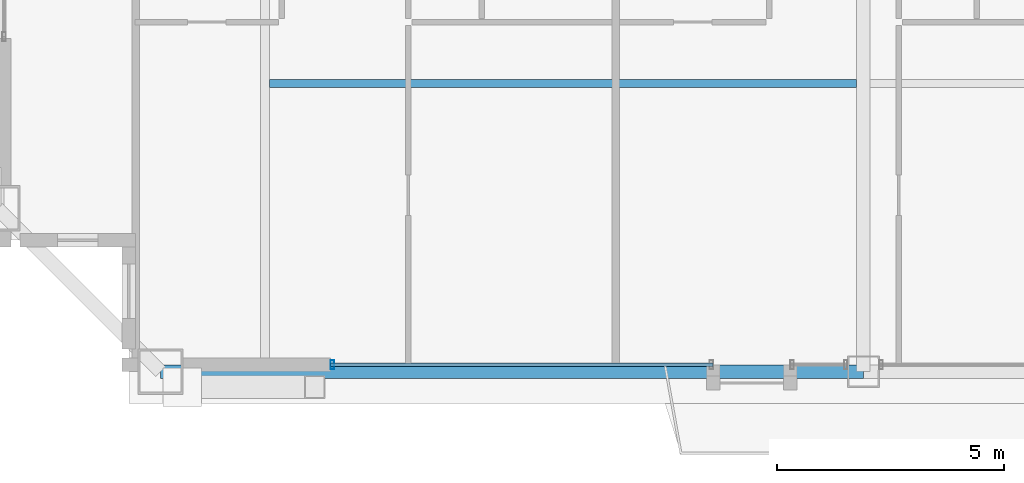
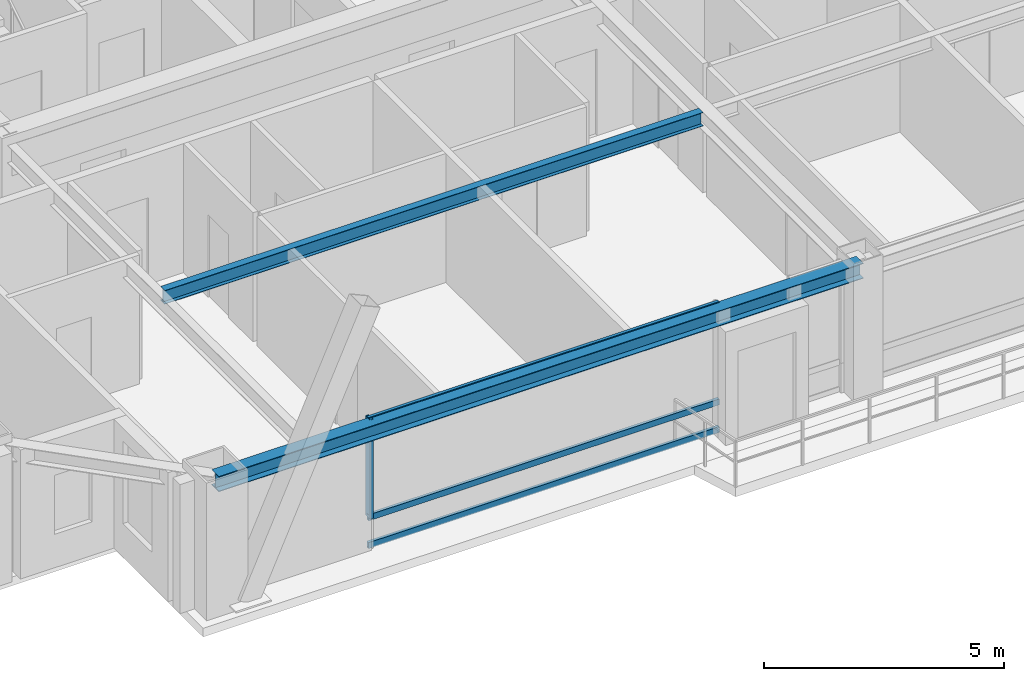
# One storey, part 4 of 33: 4 members, 2 beams, 1 element without a shape of its own.
"""IFC4 building model written with IfcOpenShell, lengths in metres."""

from ifc_helpers import new_model, si_unit, direction, frame, origin, origin_2d, place, context, subcontext, project, spatial, hollow_rectangle, i_section, extrude, source, transform, mapped, material, layer, layer_set, material_profile, profile_set, type_object, element, aggregate, save


model = new_model("IFC4")

# Units and contexts
model_context = context("Model", 3, precision=1e-05, world=origin(), true_north=direction((0.0, 1.0)))
body_context = subcontext(model_context, "Body", "Model", "MODEL_VIEW")
ifc_project = project(units=[si_unit("LENGTHUNIT", "METRE"), si_unit("AREAUNIT", "SQUARE_METRE"), si_unit("VOLUMEUNIT", "CUBIC_METRE"), si_unit("PLANEANGLEUNIT", "RADIAN"), si_unit("MASSUNIT", "GRAM", prefix="KILO"), si_unit("THERMODYNAMICTEMPERATUREUNIT", "KELVIN"), si_unit("POWERUNIT", "WATT")], contexts=[model_context])

# Site, building, storey
site_placement = place(None, origin())
site = spatial("IfcSite", under=ifc_project, at=site_placement, CompositionType="ELEMENT")
building_placement = place(site_placement, origin())
building = spatial("IfcBuilding", under=site, at=building_placement, Name="Yuzanri Waterfront Tower", CompositionType="ELEMENT")
storey_placement = place(building_placement, frame((0.0, 0.0, 292.60009765625)))
storey = spatial("IfcBuildingStorey", under=building, at=storey_placement, Name="L78", CompositionType="ELEMENT", Elevation=292.60009765625)

# Beams
ifc_material_1 = material(Name="Steel Q355B", Category="steel")
ifc_material_profile_1 = material_profile(ifc_material_1, i_section(OverallWidth=0.175048828125, OverallDepth=0.35009765625, WebThickness=0.007080078125, FlangeThickness=0.010986328125, at=origin_2d()), Name="HN 350x175x7x11")
ifc_profile_set_1 = profile_set([ifc_material_profile_1], Name="Steel Q355B")
beam_type_1 = type_object("IfcBeamType", Name="Floor Joist Q355B HN 350x175", PredefinedType="JOIST", material=ifc_profile_set_1)
shared_shape_1 = source(origin(), body_context, "Body", "SweptSolid", [
    extrude(i_section(OverallWidth=0.175048828125, OverallDepth=0.35009765625, WebThickness=0.007080078125, FlangeThickness=0.010986328125, at=origin_2d()), origin(), (0.0, 0.0, 1.0), 12.9501953125),
])
beam_1_placement = place(storey_placement, frame((23.89990234375, 13.050048828125, 3.10498046875), z_axis=(1.0, 0.0, 0.0), x_axis=(0.0, 1.0, 0.0)))
element("IfcBeam", 1, at=beam_1_placement, inside=storey, type_object=beam_type_1, Name="L78 South Bay Joist W", PredefinedType="JOIST", context=body_context, shape_type="MappedRepresentation", body=[
    mapped(shared_shape_1, transform((0.0, 0.0, 0.0), scale=1.0)),
])
ifc_material_2 = material(Name="Steel Q355B", Category="steel")
ifc_material_profile_2 = material_profile(ifc_material_2, i_section(OverallWidth=0.300048828125, OverallDepth=0.389892578125, WebThickness=0.010009765625, FlangeThickness=0.01611328125, at=origin_2d()), Name="HM 390x300x10x16")
ifc_profile_set_2 = profile_set([ifc_material_profile_2], Name="Steel Q355B")
beam_type_2 = type_object("IfcBeamType", Name="Perimeter Spandrel Q355B HM 390x300", PredefinedType="SPANDREL", material=ifc_profile_set_2)
shared_shape_2 = source(origin(), body_context, "Body", "SweptSolid", [
    extrude(i_section(OverallWidth=0.300048828125, OverallDepth=0.389892578125, WebThickness=0.010009765625, FlangeThickness=0.01611328125, at=origin_2d()), origin(), (0.0, 0.0, 1.0), 15.5),
])
beam_2_placement = place(storey_placement, frame((21.5, 6.699951171875, 3.0849609375), z_axis=(1.0, 0.0, 0.0), x_axis=(0.0, 1.0, 0.0)))
element("IfcBeam", 2, at=beam_2_placement, inside=storey, type_object=beam_type_2, Name="L78 Perimeter Spandrel S1-S2", PredefinedType="SPANDREL", context=body_context, shape_type="MappedRepresentation", body=[
    mapped(shared_shape_2, transform((0.0, 0.0, 0.0), scale=1.0)),
])

# Curtain wall, members
ifc_material_3 = material(Name="Anodized Architectural Bronze", Category="metal")
ifc_layer = layer(ifc_material_3, 0.159912109375)
ifc_layer_set = layer_set([ifc_layer], Name="Anodized Architectural Bronze")
curtain_wall_type = type_object("IfcCurtainWallType", Name="Anodized Bronze High-Rise Penthouse High-Wind Unitized Curtain Wall 6900", PredefinedType="NOTDEFINED", material=ifc_layer_set)
curtain_wall_placement = place(storey_placement, origin())
curtain_wall = element("IfcCurtainWall", 3, at=curtain_wall_placement, inside=storey, type_object=curtain_wall_type, Name="L78 Curtain Wall CW-L78-SL1", PredefinedType="NOTDEFINED")
ifc_material_4 = material(Name="Anodized Architectural Bronze", Category="metal")
ifc_material_profile_3 = material_profile(ifc_material_4, hollow_rectangle(XDim=0.074951171875, YDim=0.199951171875, WallThickness=0.00390625, at=origin_2d()), Name="CWM 75x200")
ifc_profile_set_3 = profile_set([ifc_material_profile_3], Name="Anodized Architectural Bronze")
member_type_1 = type_object("IfcMemberType", Name="Anodized Bronze Primary Curtain-Wall Mullion 75x200", PredefinedType="MULLION", material=ifc_profile_set_3)
shared_shape_3 = source(origin(), body_context, "Body", "SweptSolid", [
    extrude(hollow_rectangle(XDim=0.074951171875, YDim=0.199951171875, WallThickness=0.00390625, at=origin_2d()), origin(), (0.0, 0.0, 1.0), 2.52392578125),
])
member_1_placement = place(storey_placement, frame((25.2900390625, 6.85009765625, 0.755859375), z_axis=(0.0, 0.0, 1.0), x_axis=(1.0, 0.0, 0.0)))
member_1 = element("IfcMember", 4, at=member_1_placement, type_object=member_type_1, Name="CW-L78-SL1 Upper Mullion 00", PredefinedType="MULLION", context=body_context, shape_type="MappedRepresentation", body=[
    mapped(shared_shape_3, transform((0.0, 0.0, 0.0), scale=1.0)),
])
ifc_material_5 = material(Name="Anodized Architectural Bronze", Category="metal")
ifc_material_profile_4 = material_profile(ifc_material_5, hollow_rectangle(XDim=0.074951171875, YDim=0.14990234375, WallThickness=0.00390625, at=origin_2d()), Name="CWT 75x150")
ifc_profile_set_4 = profile_set([ifc_material_profile_4], Name="Anodized Architectural Bronze")
member_type_2 = type_object("IfcMemberType", Name="Anodized Bronze Primary Curtain-Wall Transom 75x150", PredefinedType="USERDEFINED", material=ifc_profile_set_4)
shared_shape_4 = source(origin(), body_context, "Body", "SweptSolid", [
    extrude(hollow_rectangle(XDim=0.074951171875, YDim=0.14990234375, WallThickness=0.00390625, at=origin_2d()), origin(), (0.0, 0.0, 1.0), 8.43701171875),
])
member_2_placement = place(storey_placement, frame((25.25, 6.85009765625, 0.0498046875), z_axis=(1.0, 0.0, 0.0), x_axis=(0.0, 1.0, 0.0)))
member_2 = element("IfcMember", 5, at=member_2_placement, type_object=member_type_2, Name="CW-L78-SL1 Transom 1", ObjectType="TRANSOM", PredefinedType="USERDEFINED", context=body_context, shape_type="MappedRepresentation", body=[
    mapped(shared_shape_4, transform((0.0, 0.0, 0.0), scale=1.0)),
])
member_3_placement = place(storey_placement, frame((25.25, 6.85009765625, 0.75390625), z_axis=(1.0, 0.0, 0.0), x_axis=(0.0, 1.0, 0.0)))
member_3 = element("IfcMember", 6, at=member_3_placement, type_object=member_type_2, Name="CW-L78-SL1 Transom 2", ObjectType="TRANSOM", PredefinedType="USERDEFINED", context=body_context, shape_type="MappedRepresentation", body=[
    mapped(shared_shape_4, transform((0.0, 0.0, 0.0), scale=1.0)),
])
member_4_placement = place(storey_placement, frame((25.25, 6.85009765625, 3.22998046875), z_axis=(1.0, 0.0, 0.0), x_axis=(0.0, 1.0, 0.0)))
member_4 = element("IfcMember", 7, at=member_4_placement, type_object=member_type_2, Name="CW-L78-SL1 Transom 3", ObjectType="TRANSOM", PredefinedType="USERDEFINED", context=body_context, shape_type="MappedRepresentation", body=[
    mapped(shared_shape_4, transform((0.0, 0.0, 0.0), scale=1.0)),
])
aggregate(curtain_wall, [member_1, member_2, member_3, member_4])

save(model, "model.ifc")
